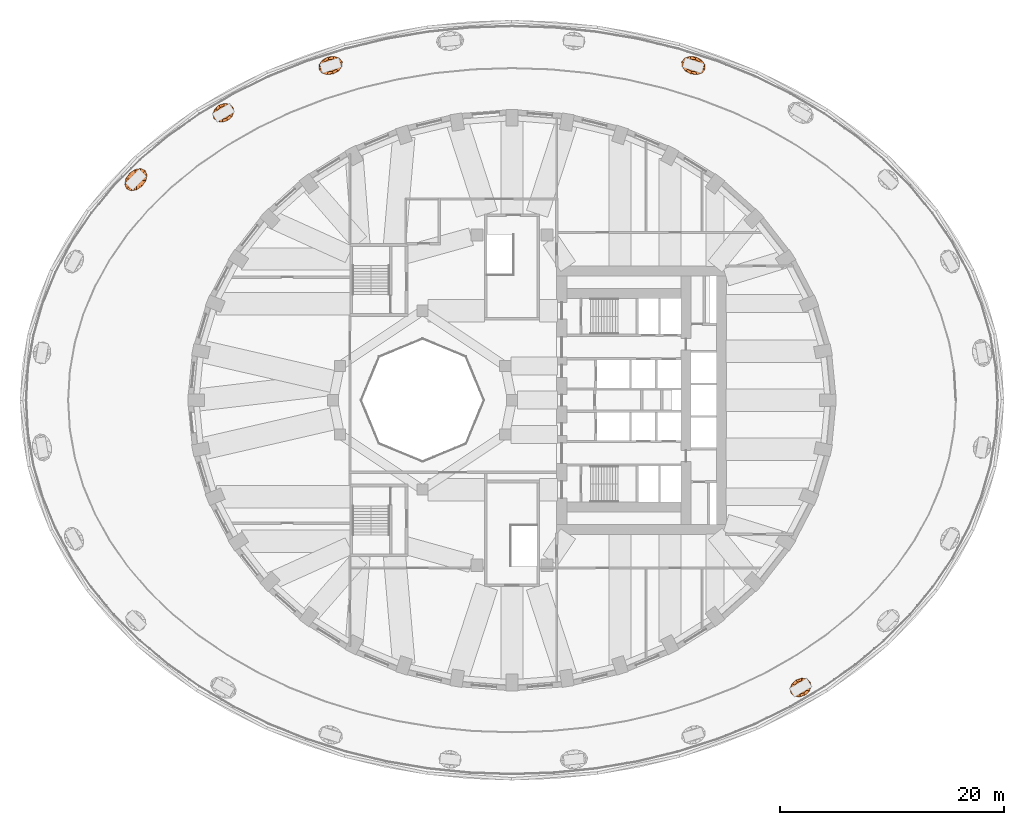
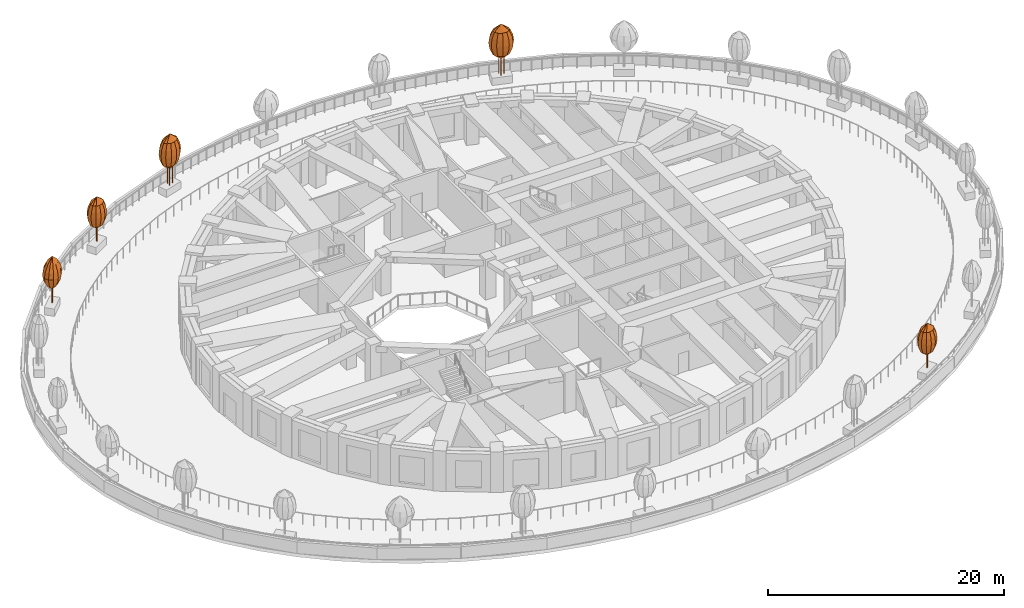
# One storey, part 15 of 17: 5 geographic elements.
"""IFC4 building model written with IfcOpenShell, lengths in metres."""

import ifcopenshell
import ifcopenshell.guid

model = None  # the IFC model being written
_history = None  # IfcOwnerHistory: only IFC2X3 demands one
_inside = {}  # id of a spatial element -> (the spatial element, [elements in it])
_under = {}  # id of a project, library or spatial element -> (it, [spatial elements below it])
_declared = {}  # id of a project -> (the project, [libraries it declares])
_typed = {}  # id of a type object -> (the type object, [elements of that type])
_made_of = {}  # id of a material, layer set ... -> (it, [elements and type objects made of it])


def new_model(schema):
    """Start an empty IFC model of exactly this schema.

    Asked for "IFC4X3", IfcOpenShell would pick the latest addendum, in which some entities
    have other attributes; the version numbers below select the first issue.
    IFC2X3 requires an IfcOwnerHistory on every rooted entity: one is made here for all.
    """
    global model, _history
    if schema == "IFC4X3":
        model = ifcopenshell.file(schema_version=(4, 3, 0, 0))
    else:
        model = ifcopenshell.file(schema=schema)
    _inside.clear()
    _under.clear()
    _declared.clear()
    _typed.clear()
    _made_of.clear()
    _history = None
    if model.schema == "IFC2X3":
        org = make("IfcOrganization", Name="unknown")
        user = make(
            "IfcPersonAndOrganization",
            ThePerson=make("IfcPerson", FamilyName="unknown"),
            TheOrganization=org,
        )
        app = make(
            "IfcApplication",
            ApplicationDeveloper=org,
            Version="unknown",
            ApplicationFullName="unknown",
            ApplicationIdentifier="unknown",
        )
        _history = make(
            "IfcOwnerHistory",
            OwningUser=user,
            OwningApplication=app,
            ChangeAction="ADDED",
            CreationDate=0,
        )
    return model


def make(cls, **values):
    """One entity of the class cls with the attributes given. An attribute that is None is left unset."""
    return model.create_entity(
        cls, **{name: value for name, value in values.items() if value is not None}
    )


def rooted(cls, **values):
    """An entity with a GlobalId (a new one), such as an element, a storey or a relation."""
    return make(cls, GlobalId=ifcopenshell.guid.new(), OwnerHistory=_history, **values)


def si_unit(unit_type, name, prefix=None):
    """IfcSIUnit, for example si_unit("LENGTHUNIT", "METRE", prefix="MILLI")."""
    return make("IfcSIUnit", UnitType=unit_type, Prefix=prefix, Name=name)


def assignment(units):
    """IfcUnitAssignment: the units of a project."""
    return None if units is None else make("IfcUnitAssignment", Units=units)


def point(xyz):
    """IfcCartesianPoint."""
    return None if xyz is None else make("IfcCartesianPoint", Coordinates=xyz)


def direction(xyz):
    """IfcDirection."""
    return None if xyz is None else make("IfcDirection", DirectionRatios=xyz)


def frame(location, z_axis=None, x_axis=None):
    """IfcAxis2Placement3D, a coordinate frame: its origin and axes. An axis left out is left unset."""
    return make(
        "IfcAxis2Placement3D",
        Location=point(location),
        Axis=direction(z_axis),
        RefDirection=direction(x_axis),
    )


def origin():
    """The frame at (0, 0, 0) with its axes left unset."""
    return frame((0.0, 0.0, 0.0))


def place(relative_to, where):
    """IfcLocalPlacement: puts the frame where relative to a parent placement (None: the world)."""
    return make(
        "IfcLocalPlacement", PlacementRelTo=relative_to, RelativePlacement=where
    )


def context(
    kind, dimensions, precision=None, world=None, true_north=None, identifier=None
):
    """IfcGeometricRepresentationContext, for example the 3D "Model" context."""
    return make(
        "IfcGeometricRepresentationContext",
        ContextIdentifier=identifier,
        ContextType=kind,
        CoordinateSpaceDimension=dimensions,
        Precision=precision,
        WorldCoordinateSystem=world,
        TrueNorth=true_north,
    )


def subcontext(parent, identifier, kind, view, scale=None):
    """IfcGeometricRepresentationSubContext, for example "Body" below "Model"."""
    return make(
        "IfcGeometricRepresentationSubContext",
        ContextIdentifier=identifier,
        ContextType=kind,
        ParentContext=parent,
        TargetScale=scale,
        TargetView=view,
    )


def project(units=None, contexts=None):
    """IfcProject with its units and contexts."""
    return rooted(
        "IfcProject",
        Name="project",
        RepresentationContexts=contexts,
        UnitsInContext=assignment(units),
    )


def spatial(cls, under=None, at=None, **own):
    """A site, building, storey or space (cls), placed at a placement, below another one or the project."""
    s = rooted(cls, ObjectPlacement=at, **own)
    if under is not None:
        _under.setdefault(under.id(), (under, []))[1].append(s)
    return s


def faces_of(points, faces, orient=None, outer=None):
    """IfcFace entities. A face is a list of loops; a loop is a list of indices into points, from 0.

    orient and outer hold one flag for each loop. By default every Orientation is true, the
    first loop of a face is its IfcFaceOuterBound and the others are IfcFaceBound.
    """
    made = []
    for i, loops in enumerate(faces):
        bounds = []
        for j, loop in enumerate(loops):
            is_outer = j == 0 if outer is None else outer[i][j]
            bounds.append(
                make(
                    "IfcFaceOuterBound" if is_outer else "IfcFaceBound",
                    Bound=make("IfcPolyLoop", Polygon=[points[k] for k in loop]),
                    Orientation=True if orient is None else orient[i][j],
                )
            )
        made.append(make("IfcFace", Bounds=bounds))
    return made


def faceted_brep(points, faces, orient=None, outer=None, voids=None):
    """IfcFacetedBrep: a solid bounded by flat faces; with voids (closed shells), ...WithVoids."""
    shared = [point(p) for p in points]
    hull = make("IfcClosedShell", CfsFaces=faces_of(shared, faces, orient, outer))
    if voids is None:
        return make("IfcFacetedBrep", Outer=hull)
    return make(
        "IfcFacetedBrepWithVoids",
        Outer=hull,
        Voids=[
            make(cls, CfsFaces=faces_of(shared, fs, o, b)) for cls, fs, o, b in voids
        ],
    )


def shape(context_of_items, identifier, shape_type, items):
    """IfcShapeRepresentation: the items that make up one representation, for example the "Body"."""
    return make(
        "IfcShapeRepresentation",
        ContextOfItems=context_of_items,
        RepresentationIdentifier=identifier,
        RepresentationType=shape_type,
        Items=items,
    )


def material(Name=None, Category=None):
    """IfcMaterial."""
    return make("IfcMaterial", Name=Name, Category=Category)


def constituent(of_material, Name=None, Category=None, fraction=None):
    """IfcMaterialConstituent: one of the materials an element consists of."""
    return make(
        "IfcMaterialConstituent",
        Name=Name,
        Material=of_material,
        Fraction=fraction,
        Category=Category,
    )


def constituent_set(constituents=None, Name=None):
    """IfcMaterialConstituentSet."""
    return make(
        "IfcMaterialConstituentSet", Name=Name, MaterialConstituents=constituents
    )


def made_of(thing, what):
    """Note that an element or type object is made of a material, layer set ...; save() writes the relation."""
    if what is not None:
        _made_of.setdefault(what.id(), (what, []))[1].append(thing)
    return thing


def type_object(cls, material=None, **own):
    """A type object (cls), such as IfcWallType, which elements share."""
    return made_of(rooted(cls, **own), material)


def element(
    cls,
    number,
    at=None,
    inside=None,
    cuts=None,
    type_object=None,
    material=None,
    context=None,
    identifier="Body",
    shape_type=None,
    held_by="IfcProductDefinitionShape",
    body=None,
    shapes=None,
    **own,
):
    """One element of the class cls, such as IfcWall. Its Tag is "e" and its number.

    at: its placement. inside: the storey or other place that contains it. cuts: it is an
    opening in that element (IfcRelVoidsElement). A single representation is given by context,
    identifier, shape_type and body (its items); several are given by shapes. held_by: the class
    of the entity that holds the representations. save() writes the other relations.
    """
    e = rooted(cls, Tag="e%d" % number, ObjectPlacement=at, **own)
    if body is not None:
        shapes = [shape(context, identifier, shape_type, body)]
    if shapes is not None:
        e.Representation = make(held_by, Representations=shapes)
    if inside is not None:
        _inside.setdefault(inside.id(), (inside, []))[1].append(e)
    if cuts is not None:
        rooted(
            "IfcRelVoidsElement", RelatingBuildingElement=cuts, RelatedOpeningElement=e
        )
    if type_object is not None:
        _typed.setdefault(type_object.id(), (type_object, []))[1].append(e)
    return made_of(e, material)


def aggregate(whole, parts):
    """IfcRelAggregates: a whole, such as a stair, and the parts it consists of."""
    return rooted("IfcRelAggregates", RelatingObject=whole, RelatedObjects=parts)


def save(model, path):
    """Write the relations noted so far, then the file.

    IfcRelAggregates (storeys below a building ...), IfcRelContainedInSpatialStructure (elements
    in a storey), IfcRelDefinesByType, IfcRelAssociatesMaterial and IfcRelDeclares: one each for
    every whole, place, type object, material and project.
    """
    for whole, parts in _under.values():
        aggregate(whole, parts)
    for where, things in _inside.values():
        rooted(
            "IfcRelContainedInSpatialStructure",
            RelatedElements=things,
            RelatingStructure=where,
        )
    for kind, things in _typed.values():
        rooted("IfcRelDefinesByType", RelatedObjects=things, RelatingType=kind)
    for what, things in _made_of.values():
        rooted("IfcRelAssociatesMaterial", RelatedObjects=things, RelatingMaterial=what)
    for by, libraries in _declared.values():
        rooted("IfcRelDeclares", RelatingContext=by, RelatedDefinitions=libraries)
    model.write(path)


model = new_model("IFC4")

# Units and contexts
model_context = context("Model", 3, precision=1e-05, world=origin(), true_north=direction((0.0, 1.0)))
body_context = subcontext(model_context, "Body", "Model", "MODEL_VIEW")
ifc_project = project(units=[si_unit("LENGTHUNIT", "METRE"), si_unit("AREAUNIT", "SQUARE_METRE"), si_unit("VOLUMEUNIT", "CUBIC_METRE"), si_unit("PLANEANGLEUNIT", "RADIAN"), si_unit("MASSUNIT", "GRAM", prefix="KILO")], contexts=[model_context])

# Site, building, storey
site_placement = place(None, origin())
site = spatial("IfcSite", under=ifc_project, at=site_placement, CompositionType="ELEMENT")
building_placement = place(site_placement, origin())
building = spatial("IfcBuilding", under=site, at=building_placement, Name="Taillehof Tower", CompositionType="ELEMENT")
storey_placement = place(building_placement, frame((0.0, 0.0, 17.5)))
storey = spatial("IfcBuildingStorey", under=building, at=storey_placement, Name="L03", CompositionType="ELEMENT", Elevation=17.5)

# Geographic elements
ifc_material_1 = material(Name="Tree bark", Category="timber")
ifc_constituent_1 = constituent(ifc_material_1, Name="Trunk", Category="timber")
ifc_material_2 = material(Name="Tree foliage")
ifc_constituent_2 = constituent(ifc_material_2, Name="Crown")
ifc_constituent_set_1 = constituent_set(constituents=[ifc_constituent_1, ifc_constituent_2], Name="Tree TR6 Field maple")
geographic_element_type_1 = type_object("IfcGeographicElementType", Name="Tree TR6 Field maple", PredefinedType="USERDEFINED", material=ifc_constituent_set_1)
geographic_element_1_placement = place(storey_placement, frame((-33.63818359375, 19.723876953125, 0.75)))
element("IfcGeographicElement", 1, at=geographic_element_1_placement, inside=storey, type_object=geographic_element_type_1, Name="Tree TR6 Field maple", ObjectType="TREE", PredefinedType="USERDEFINED", context=body_context, shape_type="Brep", body=[
    faceted_brep([(0.070068359375, 0.0, 0.0), (0.049560546875, 0.049560546875, 0.0), (0.049560546875, 0.049560546875, 2.590087890625), (0.070068359375, 0.0, 2.590087890625), (0.0, 0.070068359375, 0.0), (0.0, 0.070068359375, 2.590087890625), (-0.049560546875, 0.049560546875, 0.0), (-0.049560546875, 0.049560546875, 2.590087890625), (-0.070068359375, 0.0, 0.0), (-0.070068359375, 0.0, 2.590087890625), (-0.049560546875, -0.049560546875, 0.0), (-0.049560546875, -0.049560546875, 2.590087890625), (0.0, -0.070068359375, 0.0), (0.0, -0.070068359375, 2.590087890625), (0.049560546875, -0.049560546875, 0.0), (0.049560546875, -0.049560546875, 2.590087890625)], [[[0, 1, 2, 3]], [[1, 4, 5, 2]], [[4, 6, 7, 5]], [[6, 8, 9, 7]], [[8, 10, 11, 9]], [[10, 12, 13, 11]], [[12, 14, 15, 13]], [[14, 0, 3, 15]], [[14, 12, 10, 8, 6, 4, 1, 0]], [[3, 2, 5, 7, 9, 11, 13, 15]]]),
    faceted_brep([(0.0, 0.0, 1.39990234375), (-0.248291015625, -0.575439453125, 1.966552734375), (-0.47607421875, -0.47412109375, 1.966552734375), (0.046142578125, -0.5224609375, 1.966552734375), (0.328369140625, -0.32958984375, 1.966552734375), (0.5224609375, -0.04833984375, 1.966552734375), (0.576416015625, 0.245849609375, 1.966552734375), (0.47607421875, 0.47412109375, 1.966552734375), (0.248291015625, 0.575439453125, 1.966552734375), (-0.046142578125, 0.5224609375, 1.966552734375), (-0.328369140625, 0.32958984375, 1.966552734375), (-0.5224609375, 0.04833984375, 1.966552734375), (-0.576416015625, -0.245849609375, 1.966552734375), (-0.38525390625, -0.89306640625, 2.533447265625), (-0.739013671875, -0.73583984375, 2.533447265625), (0.07177734375, -0.81103515625, 2.533447265625), (0.509521484375, -0.511474609375, 2.533447265625), (0.810546875, -0.0751953125, 2.533447265625), (0.89453125, 0.381591796875, 2.533447265625), (0.739013671875, 0.73583984375, 2.533447265625), (0.38525390625, 0.89306640625, 2.533447265625), (-0.07177734375, 0.81103515625, 2.533447265625), (-0.509521484375, 0.511474609375, 2.533447265625), (-0.810546875, 0.0751953125, 2.533447265625), (-0.89453125, -0.381591796875, 2.533447265625), (-0.43212890625, -1.001953125, 3.10009765625), (-0.8291015625, -0.82568359375, 3.10009765625), (0.08056640625, -0.909912109375, 3.10009765625), (0.571533203125, -0.573974609375, 3.10009765625), (0.909423828125, -0.084228515625, 3.10009765625), (1.003662109375, 0.427978515625, 3.10009765625), (0.8291015625, 0.82568359375, 3.10009765625), (0.43212890625, 1.001953125, 3.10009765625), (-0.08056640625, 0.909912109375, 3.10009765625), (-0.571533203125, 0.573974609375, 3.10009765625), (-0.909423828125, 0.084228515625, 3.10009765625), (-1.003662109375, -0.427978515625, 3.10009765625), (-0.38525390625, -0.89306640625, 3.666748046875), (-0.739013671875, -0.73583984375, 3.666748046875), (0.07177734375, -0.81103515625, 3.666748046875), (0.509521484375, -0.511474609375, 3.666748046875), (0.810546875, -0.0751953125, 3.666748046875), (0.89453125, 0.381591796875, 3.666748046875), (0.739013671875, 0.73583984375, 3.666748046875), (0.38525390625, 0.89306640625, 3.666748046875), (-0.07177734375, 0.81103515625, 3.666748046875), (-0.509521484375, 0.511474609375, 3.666748046875), (-0.810546875, 0.0751953125, 3.666748046875), (-0.89453125, -0.381591796875, 3.666748046875), (-0.248291015625, -0.575439453125, 4.2333984375), (-0.47607421875, -0.47412109375, 4.2333984375), (0.046142578125, -0.5224609375, 4.2333984375), (0.328369140625, -0.32958984375, 4.2333984375), (0.5224609375, -0.04833984375, 4.2333984375), (0.576416015625, 0.245849609375, 4.2333984375), (0.47607421875, 0.47412109375, 4.2333984375), (0.248291015625, 0.575439453125, 4.2333984375), (-0.046142578125, 0.5224609375, 4.2333984375), (-0.328369140625, 0.32958984375, 4.2333984375), (-0.5224609375, 0.04833984375, 4.2333984375), (-0.576416015625, -0.245849609375, 4.2333984375), (0.0, 0.0, 4.800048828125)], [[[0, 1, 2]], [[0, 3, 1]], [[0, 4, 3]], [[0, 5, 4]], [[0, 6, 5]], [[0, 7, 6]], [[0, 8, 7]], [[0, 9, 8]], [[0, 10, 9]], [[0, 11, 10]], [[0, 12, 11]], [[0, 2, 12]], [[2, 1, 13, 14]], [[1, 3, 15, 13]], [[3, 4, 16, 15]], [[4, 5, 17, 16]], [[5, 6, 18, 17]], [[6, 7, 19, 18]], [[7, 8, 20, 19]], [[8, 9, 21, 20]], [[9, 10, 22, 21]], [[10, 11, 23, 22]], [[11, 12, 24, 23]], [[12, 2, 14, 24]], [[14, 13, 25, 26]], [[13, 15, 27, 25]], [[15, 16, 28, 27]], [[16, 17, 29, 28]], [[17, 18, 30, 29]], [[18, 19, 31, 30]], [[19, 20, 32, 31]], [[20, 21, 33, 32]], [[21, 22, 34, 33]], [[22, 23, 35, 34]], [[23, 24, 36, 35]], [[24, 14, 26, 36]], [[26, 25, 37, 38]], [[25, 27, 39, 37]], [[27, 28, 40, 39]], [[28, 29, 41, 40]], [[29, 30, 42, 41]], [[30, 31, 43, 42]], [[31, 32, 44, 43]], [[32, 33, 45, 44]], [[33, 34, 46, 45]], [[34, 35, 47, 46]], [[35, 36, 48, 47]], [[36, 26, 38, 48]], [[38, 37, 49, 50]], [[37, 39, 51, 49]], [[39, 40, 52, 51]], [[40, 41, 53, 52]], [[41, 42, 54, 53]], [[42, 43, 55, 54]], [[43, 44, 56, 55]], [[44, 45, 57, 56]], [[45, 46, 58, 57]], [[46, 47, 59, 58]], [[47, 48, 60, 59]], [[48, 38, 50, 60]], [[50, 49, 61]], [[49, 51, 61]], [[51, 52, 61]], [[52, 53, 61]], [[53, 54, 61]], [[54, 55, 61]], [[55, 56, 61]], [[56, 57, 61]], [[57, 58, 61]], [[58, 59, 61]], [[59, 60, 61]], [[60, 50, 61]]]),
])
ifc_material_3 = material(Name="Tree bark", Category="timber")
ifc_constituent_3 = constituent(ifc_material_3, Name="Trunk", Category="timber")
ifc_material_4 = material(Name="Tree foliage")
ifc_constituent_4 = constituent(ifc_material_4, Name="Crown")
ifc_constituent_set_2 = constituent_set(constituents=[ifc_constituent_3, ifc_constituent_4], Name="Tree TR7 Himalayan birch")
geographic_element_type_2 = type_object("IfcGeographicElementType", Name="Tree TR7 Himalayan birch", PredefinedType="USERDEFINED", material=ifc_constituent_set_2)
geographic_element_2_placement = place(storey_placement, frame((16.225830078125, 29.93359375, 0.75)))
element("IfcGeographicElement", 2, at=geographic_element_2_placement, inside=storey, type_object=geographic_element_type_2, Name="Tree TR7 Himalayan birch", ObjectType="TREE", PredefinedType="USERDEFINED", context=body_context, shape_type="Brep", body=[
    faceted_brep([(0.3134765625, 0.0, 0.0), (0.30224609375, 0.027099609375, 0.0), (0.30224609375, 0.027099609375, 2.833984375), (0.3134765625, 0.0, 2.833984375), (0.27490234375, 0.03857421875, 0.0), (0.27490234375, 0.03857421875, 2.833984375), (0.247802734375, 0.027099609375, 0.0), (0.247802734375, 0.027099609375, 2.833984375), (0.236572265625, 0.0, 0.0), (0.236572265625, 0.0, 2.833984375), (0.247802734375, -0.027099609375, 0.0), (0.247802734375, -0.027099609375, 2.833984375), (0.27490234375, -0.03857421875, 0.0), (0.27490234375, -0.03857421875, 2.833984375), (0.30224609375, -0.027099609375, 0.0), (0.30224609375, -0.027099609375, 2.833984375)], [[[0, 1, 2, 3]], [[1, 4, 5, 2]], [[4, 6, 7, 5]], [[6, 8, 9, 7]], [[8, 10, 11, 9]], [[10, 12, 13, 11]], [[12, 14, 15, 13]], [[14, 0, 3, 15]], [[14, 12, 10, 8, 6, 4, 1, 0]], [[3, 2, 5, 7, 9, 11, 13, 15]]]),
    faceted_brep([(-0.09912109375, 0.173095703125, 0.0), (-0.1103515625, 0.200439453125, 0.0), (-0.1103515625, 0.200439453125, 2.833984375), (-0.09912109375, 0.173095703125, 2.833984375), (-0.137451171875, 0.211669921875, 0.0), (-0.137451171875, 0.211669921875, 2.833984375), (-0.164794921875, 0.200439453125, 0.0), (-0.164794921875, 0.200439453125, 2.833984375), (-0.176025390625, 0.173095703125, 0.0), (-0.176025390625, 0.173095703125, 2.833984375), (-0.164794921875, 0.14599609375, 0.0), (-0.164794921875, 0.14599609375, 2.833984375), (-0.137451171875, 0.134765625, 0.0), (-0.137451171875, 0.134765625, 2.833984375), (-0.1103515625, 0.14599609375, 0.0), (-0.1103515625, 0.14599609375, 2.833984375)], [[[0, 1, 2, 3]], [[1, 4, 5, 2]], [[4, 6, 7, 5]], [[6, 8, 9, 7]], [[8, 10, 11, 9]], [[10, 12, 13, 11]], [[12, 14, 15, 13]], [[14, 0, 3, 15]], [[14, 12, 10, 8, 6, 4, 1, 0]], [[3, 2, 5, 7, 9, 11, 13, 15]]]),
    faceted_brep([(-0.09912109375, -0.173095703125, 0.0), (-0.1103515625, -0.14599609375, 0.0), (-0.1103515625, -0.14599609375, 2.833984375), (-0.09912109375, -0.173095703125, 2.833984375), (-0.137451171875, -0.134765625, 0.0), (-0.137451171875, -0.134765625, 2.833984375), (-0.164794921875, -0.14599609375, 0.0), (-0.164794921875, -0.14599609375, 2.833984375), (-0.176025390625, -0.173095703125, 0.0), (-0.176025390625, -0.173095703125, 2.833984375), (-0.164794921875, -0.200439453125, 0.0), (-0.164794921875, -0.200439453125, 2.833984375), (-0.137451171875, -0.211669921875, 0.0), (-0.137451171875, -0.211669921875, 2.833984375), (-0.1103515625, -0.200439453125, 0.0), (-0.1103515625, -0.200439453125, 2.833984375)], [[[0, 1, 2, 3]], [[1, 4, 5, 2]], [[4, 6, 7, 5]], [[6, 8, 9, 7]], [[8, 10, 11, 9]], [[10, 12, 13, 11]], [[12, 14, 15, 13]], [[14, 0, 3, 15]], [[14, 12, 10, 8, 6, 4, 1, 0]], [[3, 2, 5, 7, 9, 11, 13, 15]]]),
    faceted_brep([(0.0, 0.0, 1.56005859375), (-0.702880859375, -0.064208984375, 2.166748046875), (-0.71630859375, 0.226806640625, 2.166748046875), (-0.5009765625, -0.337890625, 2.166748046875), (-0.164794921875, -0.52099609375, 2.166748046875), (0.21533203125, -0.564453125, 2.166748046875), (0.537841796875, -0.456787109375, 2.166748046875), (0.71630859375, -0.226806640625, 2.166748046875), (0.702880859375, 0.064208984375, 2.166748046875), (0.5009765625, 0.337890625, 2.166748046875), (0.164794921875, 0.52099609375, 2.166748046875), (-0.21533203125, 0.564453125, 2.166748046875), (-0.537841796875, 0.456787109375, 2.166748046875), (-0.95068359375, -0.086669921875, 2.7734375), (-0.968994140625, 0.306640625, 2.7734375), (-0.677734375, -0.45703125, 2.7734375), (-0.22314453125, -0.70458984375, 2.7734375), (0.291259765625, -0.763671875, 2.7734375), (0.7275390625, -0.617919921875, 2.7734375), (0.968994140625, -0.306640625, 2.7734375), (0.95068359375, 0.086669921875, 2.7734375), (0.677734375, 0.45703125, 2.7734375), (0.22314453125, 0.70458984375, 2.7734375), (-0.291259765625, 0.763671875, 2.7734375), (-0.7275390625, 0.617919921875, 2.7734375), (-1.02880859375, -0.093994140625, 3.3798828125), (-1.048828125, 0.33203125, 3.3798828125), (-0.7333984375, -0.49462890625, 3.3798828125), (-0.241455078125, -0.7626953125, 3.3798828125), (0.315185546875, -0.826416015625, 3.3798828125), (0.78759765625, -0.6689453125, 3.3798828125), (1.048828125, -0.33203125, 3.3798828125), (1.02880859375, 0.093994140625, 3.3798828125), (0.7333984375, 0.49462890625, 3.3798828125), (0.241455078125, 0.7626953125, 3.3798828125), (-0.315185546875, 0.826416015625, 3.3798828125), (-0.78759765625, 0.6689453125, 3.3798828125), (-0.95068359375, -0.086669921875, 3.986572265625), (-0.968994140625, 0.306640625, 3.986572265625), (-0.677734375, -0.45703125, 3.986572265625), (-0.22314453125, -0.70458984375, 3.986572265625), (0.291259765625, -0.763671875, 3.986572265625), (0.7275390625, -0.617919921875, 3.986572265625), (0.968994140625, -0.306640625, 3.986572265625), (0.95068359375, 0.086669921875, 3.986572265625), (0.677734375, 0.45703125, 3.986572265625), (0.22314453125, 0.70458984375, 3.986572265625), (-0.291259765625, 0.763671875, 3.986572265625), (-0.7275390625, 0.617919921875, 3.986572265625), (-0.702880859375, -0.064208984375, 4.59326171875), (-0.71630859375, 0.226806640625, 4.59326171875), (-0.5009765625, -0.337890625, 4.59326171875), (-0.164794921875, -0.52099609375, 4.59326171875), (0.21533203125, -0.564453125, 4.59326171875), (0.537841796875, -0.456787109375, 4.59326171875), (0.71630859375, -0.226806640625, 4.59326171875), (0.702880859375, 0.064208984375, 4.59326171875), (0.5009765625, 0.337890625, 4.59326171875), (0.164794921875, 0.52099609375, 4.59326171875), (-0.21533203125, 0.564453125, 4.59326171875), (-0.537841796875, 0.456787109375, 4.59326171875), (0.0, 0.0, 5.199951171875)], [[[0, 1, 2]], [[0, 3, 1]], [[0, 4, 3]], [[0, 5, 4]], [[0, 6, 5]], [[0, 7, 6]], [[0, 8, 7]], [[0, 9, 8]], [[0, 10, 9]], [[0, 11, 10]], [[0, 12, 11]], [[0, 2, 12]], [[2, 1, 13, 14]], [[1, 3, 15, 13]], [[3, 4, 16, 15]], [[4, 5, 17, 16]], [[5, 6, 18, 17]], [[6, 7, 19, 18]], [[7, 8, 20, 19]], [[8, 9, 21, 20]], [[9, 10, 22, 21]], [[10, 11, 23, 22]], [[11, 12, 24, 23]], [[12, 2, 14, 24]], [[14, 13, 25, 26]], [[13, 15, 27, 25]], [[15, 16, 28, 27]], [[16, 17, 29, 28]], [[17, 18, 30, 29]], [[18, 19, 31, 30]], [[19, 20, 32, 31]], [[20, 21, 33, 32]], [[21, 22, 34, 33]], [[22, 23, 35, 34]], [[23, 24, 36, 35]], [[24, 14, 26, 36]], [[26, 25, 37, 38]], [[25, 27, 39, 37]], [[27, 28, 40, 39]], [[28, 29, 41, 40]], [[29, 30, 42, 41]], [[30, 31, 43, 42]], [[31, 32, 44, 43]], [[32, 33, 45, 44]], [[33, 34, 46, 45]], [[34, 35, 47, 46]], [[35, 36, 48, 47]], [[36, 26, 38, 48]], [[38, 37, 49, 50]], [[37, 39, 51, 49]], [[39, 40, 52, 51]], [[40, 41, 53, 52]], [[41, 42, 54, 53]], [[42, 43, 55, 54]], [[43, 44, 56, 55]], [[44, 45, 57, 56]], [[45, 46, 58, 57]], [[46, 47, 59, 58]], [[47, 48, 60, 59]], [[48, 38, 50, 60]], [[50, 49, 61]], [[49, 51, 61]], [[51, 52, 61]], [[52, 53, 61]], [[53, 54, 61]], [[54, 55, 61]], [[55, 56, 61]], [[56, 57, 61]], [[57, 58, 61]], [[58, 59, 61]], [[59, 60, 61]], [[60, 50, 61]]]),
])
geographic_element_3_placement = place(storey_placement, frame((-16.225830078125, 29.93359375, 0.75)))
element("IfcGeographicElement", 3, at=geographic_element_3_placement, inside=storey, type_object=geographic_element_type_2, Name="Tree TR7 Himalayan birch", ObjectType="TREE", PredefinedType="USERDEFINED", context=body_context, shape_type="Brep", body=[
    faceted_brep([(0.3134765625, 0.0, 0.0), (0.30224609375, 0.027099609375, 0.0), (0.30224609375, 0.027099609375, 2.833984375), (0.3134765625, 0.0, 2.833984375), (0.27490234375, 0.03857421875, 0.0), (0.27490234375, 0.03857421875, 2.833984375), (0.247802734375, 0.027099609375, 0.0), (0.247802734375, 0.027099609375, 2.833984375), (0.236572265625, 0.0, 0.0), (0.236572265625, 0.0, 2.833984375), (0.247802734375, -0.027099609375, 0.0), (0.247802734375, -0.027099609375, 2.833984375), (0.27490234375, -0.03857421875, 0.0), (0.27490234375, -0.03857421875, 2.833984375), (0.30224609375, -0.027099609375, 0.0), (0.30224609375, -0.027099609375, 2.833984375)], [[[0, 1, 2, 3]], [[1, 4, 5, 2]], [[4, 6, 7, 5]], [[6, 8, 9, 7]], [[8, 10, 11, 9]], [[10, 12, 13, 11]], [[12, 14, 15, 13]], [[14, 0, 3, 15]], [[14, 12, 10, 8, 6, 4, 1, 0]], [[3, 2, 5, 7, 9, 11, 13, 15]]]),
    faceted_brep([(-0.09912109375, 0.173095703125, 0.0), (-0.1103515625, 0.200439453125, 0.0), (-0.1103515625, 0.200439453125, 2.833984375), (-0.09912109375, 0.173095703125, 2.833984375), (-0.137451171875, 0.211669921875, 0.0), (-0.137451171875, 0.211669921875, 2.833984375), (-0.164794921875, 0.200439453125, 0.0), (-0.164794921875, 0.200439453125, 2.833984375), (-0.176025390625, 0.173095703125, 0.0), (-0.176025390625, 0.173095703125, 2.833984375), (-0.164794921875, 0.14599609375, 0.0), (-0.164794921875, 0.14599609375, 2.833984375), (-0.137451171875, 0.134765625, 0.0), (-0.137451171875, 0.134765625, 2.833984375), (-0.1103515625, 0.14599609375, 0.0), (-0.1103515625, 0.14599609375, 2.833984375)], [[[0, 1, 2, 3]], [[1, 4, 5, 2]], [[4, 6, 7, 5]], [[6, 8, 9, 7]], [[8, 10, 11, 9]], [[10, 12, 13, 11]], [[12, 14, 15, 13]], [[14, 0, 3, 15]], [[14, 12, 10, 8, 6, 4, 1, 0]], [[3, 2, 5, 7, 9, 11, 13, 15]]]),
    faceted_brep([(-0.09912109375, -0.173095703125, 0.0), (-0.1103515625, -0.14599609375, 0.0), (-0.1103515625, -0.14599609375, 2.833984375), (-0.09912109375, -0.173095703125, 2.833984375), (-0.137451171875, -0.134765625, 0.0), (-0.137451171875, -0.134765625, 2.833984375), (-0.164794921875, -0.14599609375, 0.0), (-0.164794921875, -0.14599609375, 2.833984375), (-0.176025390625, -0.173095703125, 0.0), (-0.176025390625, -0.173095703125, 2.833984375), (-0.164794921875, -0.200439453125, 0.0), (-0.164794921875, -0.200439453125, 2.833984375), (-0.137451171875, -0.211669921875, 0.0), (-0.137451171875, -0.211669921875, 2.833984375), (-0.1103515625, -0.200439453125, 0.0), (-0.1103515625, -0.200439453125, 2.833984375)], [[[0, 1, 2, 3]], [[1, 4, 5, 2]], [[4, 6, 7, 5]], [[6, 8, 9, 7]], [[8, 10, 11, 9]], [[10, 12, 13, 11]], [[12, 14, 15, 13]], [[14, 0, 3, 15]], [[14, 12, 10, 8, 6, 4, 1, 0]], [[3, 2, 5, 7, 9, 11, 13, 15]]]),
    faceted_brep([(0.0, 0.0, 1.56005859375), (-0.537841796875, -0.456787109375, 2.166748046875), (-0.71630859375, -0.226806640625, 2.166748046875), (-0.21533203125, -0.564453125, 2.166748046875), (0.164794921875, -0.52099609375, 2.166748046875), (0.5009765625, -0.337890625, 2.166748046875), (0.702880859375, -0.064208984375, 2.166748046875), (0.71630859375, 0.226806640625, 2.166748046875), (0.537841796875, 0.456787109375, 2.166748046875), (0.21533203125, 0.564453125, 2.166748046875), (-0.164794921875, 0.52099609375, 2.166748046875), (-0.5009765625, 0.337890625, 2.166748046875), (-0.702880859375, 0.064208984375, 2.166748046875), (-0.7275390625, -0.617919921875, 2.7734375), (-0.968994140625, -0.306640625, 2.7734375), (-0.291259765625, -0.763671875, 2.7734375), (0.22314453125, -0.70458984375, 2.7734375), (0.677734375, -0.45703125, 2.7734375), (0.95068359375, -0.086669921875, 2.7734375), (0.968994140625, 0.306640625, 2.7734375), (0.7275390625, 0.617919921875, 2.7734375), (0.291259765625, 0.763671875, 2.7734375), (-0.22314453125, 0.70458984375, 2.7734375), (-0.677734375, 0.45703125, 2.7734375), (-0.95068359375, 0.086669921875, 2.7734375), (-0.78759765625, -0.6689453125, 3.3798828125), (-1.048828125, -0.33203125, 3.3798828125), (-0.315185546875, -0.826416015625, 3.3798828125), (0.241455078125, -0.7626953125, 3.3798828125), (0.7333984375, -0.49462890625, 3.3798828125), (1.02880859375, -0.093994140625, 3.3798828125), (1.048828125, 0.33203125, 3.3798828125), (0.78759765625, 0.6689453125, 3.3798828125), (0.315185546875, 0.826416015625, 3.3798828125), (-0.241455078125, 0.7626953125, 3.3798828125), (-0.7333984375, 0.49462890625, 3.3798828125), (-1.02880859375, 0.093994140625, 3.3798828125), (-0.7275390625, -0.617919921875, 3.986572265625), (-0.968994140625, -0.306640625, 3.986572265625), (-0.291259765625, -0.763671875, 3.986572265625), (0.22314453125, -0.70458984375, 3.986572265625), (0.677734375, -0.45703125, 3.986572265625), (0.95068359375, -0.086669921875, 3.986572265625), (0.968994140625, 0.306640625, 3.986572265625), (0.7275390625, 0.617919921875, 3.986572265625), (0.291259765625, 0.763671875, 3.986572265625), (-0.22314453125, 0.70458984375, 3.986572265625), (-0.677734375, 0.45703125, 3.986572265625), (-0.95068359375, 0.086669921875, 3.986572265625), (-0.537841796875, -0.456787109375, 4.59326171875), (-0.71630859375, -0.226806640625, 4.59326171875), (-0.21533203125, -0.564453125, 4.59326171875), (0.164794921875, -0.52099609375, 4.59326171875), (0.5009765625, -0.337890625, 4.59326171875), (0.702880859375, -0.064208984375, 4.59326171875), (0.71630859375, 0.226806640625, 4.59326171875), (0.537841796875, 0.456787109375, 4.59326171875), (0.21533203125, 0.564453125, 4.59326171875), (-0.164794921875, 0.52099609375, 4.59326171875), (-0.5009765625, 0.337890625, 4.59326171875), (-0.702880859375, 0.064208984375, 4.59326171875), (0.0, 0.0, 5.199951171875)], [[[0, 1, 2]], [[0, 3, 1]], [[0, 4, 3]], [[0, 5, 4]], [[0, 6, 5]], [[0, 7, 6]], [[0, 8, 7]], [[0, 9, 8]], [[0, 10, 9]], [[0, 11, 10]], [[0, 12, 11]], [[0, 2, 12]], [[2, 1, 13, 14]], [[1, 3, 15, 13]], [[3, 4, 16, 15]], [[4, 5, 17, 16]], [[5, 6, 18, 17]], [[6, 7, 19, 18]], [[7, 8, 20, 19]], [[8, 9, 21, 20]], [[9, 10, 22, 21]], [[10, 11, 23, 22]], [[11, 12, 24, 23]], [[12, 2, 14, 24]], [[14, 13, 25, 26]], [[13, 15, 27, 25]], [[15, 16, 28, 27]], [[16, 17, 29, 28]], [[17, 18, 30, 29]], [[18, 19, 31, 30]], [[19, 20, 32, 31]], [[20, 21, 33, 32]], [[21, 22, 34, 33]], [[22, 23, 35, 34]], [[23, 24, 36, 35]], [[24, 14, 26, 36]], [[26, 25, 37, 38]], [[25, 27, 39, 37]], [[27, 28, 40, 39]], [[28, 29, 41, 40]], [[29, 30, 42, 41]], [[30, 31, 43, 42]], [[31, 32, 44, 43]], [[32, 33, 45, 44]], [[33, 34, 46, 45]], [[34, 35, 47, 46]], [[35, 36, 48, 47]], [[36, 26, 38, 48]], [[38, 37, 49, 50]], [[37, 39, 51, 49]], [[39, 40, 52, 51]], [[40, 41, 53, 52]], [[41, 42, 54, 53]], [[42, 43, 55, 54]], [[43, 44, 56, 55]], [[44, 45, 57, 56]], [[45, 46, 58, 57]], [[46, 47, 59, 58]], [[47, 48, 60, 59]], [[48, 38, 50, 60]], [[50, 49, 61]], [[49, 51, 61]], [[51, 52, 61]], [[52, 53, 61]], [[53, 54, 61]], [[54, 55, 61]], [[55, 56, 61]], [[56, 57, 61]], [[57, 58, 61]], [[58, 59, 61]], [[59, 60, 61]], [[60, 50, 61]]]),
])
ifc_material_5 = material(Name="Tree bark", Category="timber")
ifc_constituent_5 = constituent(ifc_material_5, Name="Trunk", Category="timber")
ifc_material_6 = material(Name="Tree foliage")
ifc_constituent_6 = constituent(ifc_material_6, Name="Crown")
ifc_constituent_set_3 = constituent_set(constituents=[ifc_constituent_5, ifc_constituent_6], Name="Tree TR8 Persian ironwood")
geographic_element_type_3 = type_object("IfcGeographicElementType", Name="Tree TR8 Persian ironwood", PredefinedType="USERDEFINED", material=ifc_constituent_set_3)
geographic_element_4_placement = place(storey_placement, frame((-25.8115234375, 25.70458984375, 0.75)))
element("IfcGeographicElement", 4, at=geographic_element_4_placement, inside=storey, type_object=geographic_element_type_3, Name="Tree TR8 Persian ironwood", ObjectType="TREE", PredefinedType="USERDEFINED", context=body_context, shape_type="Brep", body=[
    faceted_brep([(0.06005859375, 0.0, 0.0), (0.04248046875, 0.04248046875, 0.0), (0.04248046875, 0.04248046875, 2.455078125), (0.06005859375, 0.0, 2.455078125), (0.0, 0.06005859375, 0.0), (0.0, 0.06005859375, 2.455078125), (-0.04248046875, 0.04248046875, 0.0), (-0.04248046875, 0.04248046875, 2.455078125), (-0.06005859375, 0.0, 0.0), (-0.06005859375, 0.0, 2.455078125), (-0.04248046875, -0.04248046875, 0.0), (-0.04248046875, -0.04248046875, 2.455078125), (0.0, -0.06005859375, 0.0), (0.0, -0.06005859375, 2.455078125), (0.04248046875, -0.04248046875, 0.0), (0.04248046875, -0.04248046875, 2.455078125)], [[[0, 1, 2, 3]], [[1, 4, 5, 2]], [[4, 6, 7, 5]], [[6, 8, 9, 7]], [[8, 10, 11, 9]], [[10, 12, 13, 11]], [[12, 14, 15, 13]], [[14, 0, 3, 15]], [[14, 12, 10, 8, 6, 4, 1, 0]], [[3, 2, 5, 7, 9, 11, 13, 15]]]),
    faceted_brep([(0.0, 0.0, 1.300048828125), (-0.3720703125, -0.534912109375, 1.85009765625), (-0.589111328125, -0.345458984375, 1.85009765625), (-0.05517578125, -0.5810546875, 1.85009765625), (0.2763671875, -0.471435546875, 1.85009765625), (0.533935546875, -0.235595703125, 1.85009765625), (0.6484375, 0.0634765625, 1.85009765625), (0.589111328125, 0.345458984375, 1.85009765625), (0.3720703125, 0.534912109375, 1.85009765625), (0.05517578125, 0.5810546875, 1.85009765625), (-0.2763671875, 0.471435546875, 1.85009765625), (-0.533935546875, 0.235595703125, 1.85009765625), (-0.6484375, -0.0634765625, 1.85009765625), (-0.50341796875, -0.7236328125, 2.39990234375), (-0.797119140625, -0.46728515625, 2.39990234375), (-0.07470703125, -0.785888671875, 2.39990234375), (0.373779296875, -0.6376953125, 2.39990234375), (0.722412109375, -0.318603515625, 2.39990234375), (0.877197265625, 0.0859375, 2.39990234375), (0.797119140625, 0.46728515625, 2.39990234375), (0.50341796875, 0.7236328125, 2.39990234375), (0.07470703125, 0.785888671875, 2.39990234375), (-0.373779296875, 0.6376953125, 2.39990234375), (-0.722412109375, 0.318603515625, 2.39990234375), (-0.877197265625, -0.0859375, 2.39990234375), (-0.544677734375, -0.783203125, 2.949951171875), (-0.862548828125, -0.505859375, 2.949951171875), (-0.080810546875, -0.8505859375, 2.949951171875), (0.404541015625, -0.690185546875, 2.949951171875), (0.78173828125, -0.3447265625, 2.949951171875), (0.949462890625, 0.093017578125, 2.949951171875), (0.862548828125, 0.505859375, 2.949951171875), (0.544677734375, 0.783203125, 2.949951171875), (0.080810546875, 0.8505859375, 2.949951171875), (-0.404541015625, 0.690185546875, 2.949951171875), (-0.78173828125, 0.3447265625, 2.949951171875), (-0.949462890625, -0.093017578125, 2.949951171875), (-0.50341796875, -0.7236328125, 3.5), (-0.797119140625, -0.46728515625, 3.5), (-0.07470703125, -0.785888671875, 3.5), (0.373779296875, -0.6376953125, 3.5), (0.722412109375, -0.318603515625, 3.5), (0.877197265625, 0.0859375, 3.5), (0.797119140625, 0.46728515625, 3.5), (0.50341796875, 0.7236328125, 3.5), (0.07470703125, 0.785888671875, 3.5), (-0.373779296875, 0.6376953125, 3.5), (-0.722412109375, 0.318603515625, 3.5), (-0.877197265625, -0.0859375, 3.5), (-0.3720703125, -0.534912109375, 4.050048828125), (-0.589111328125, -0.345458984375, 4.050048828125), (-0.05517578125, -0.5810546875, 4.050048828125), (0.2763671875, -0.471435546875, 4.050048828125), (0.533935546875, -0.235595703125, 4.050048828125), (0.6484375, 0.0634765625, 4.050048828125), (0.589111328125, 0.345458984375, 4.050048828125), (0.3720703125, 0.534912109375, 4.050048828125), (0.05517578125, 0.5810546875, 4.050048828125), (-0.2763671875, 0.471435546875, 4.050048828125), (-0.533935546875, 0.235595703125, 4.050048828125), (-0.6484375, -0.0634765625, 4.050048828125), (0.0, 0.0, 4.60009765625)], [[[0, 1, 2]], [[0, 3, 1]], [[0, 4, 3]], [[0, 5, 4]], [[0, 6, 5]], [[0, 7, 6]], [[0, 8, 7]], [[0, 9, 8]], [[0, 10, 9]], [[0, 11, 10]], [[0, 12, 11]], [[0, 2, 12]], [[2, 1, 13, 14]], [[1, 3, 15, 13]], [[3, 4, 16, 15]], [[4, 5, 17, 16]], [[5, 6, 18, 17]], [[6, 7, 19, 18]], [[7, 8, 20, 19]], [[8, 9, 21, 20]], [[9, 10, 22, 21]], [[10, 11, 23, 22]], [[11, 12, 24, 23]], [[12, 2, 14, 24]], [[14, 13, 25, 26]], [[13, 15, 27, 25]], [[15, 16, 28, 27]], [[16, 17, 29, 28]], [[17, 18, 30, 29]], [[18, 19, 31, 30]], [[19, 20, 32, 31]], [[20, 21, 33, 32]], [[21, 22, 34, 33]], [[22, 23, 35, 34]], [[23, 24, 36, 35]], [[24, 14, 26, 36]], [[26, 25, 37, 38]], [[25, 27, 39, 37]], [[27, 28, 40, 39]], [[28, 29, 41, 40]], [[29, 30, 42, 41]], [[30, 31, 43, 42]], [[31, 32, 44, 43]], [[32, 33, 45, 44]], [[33, 34, 46, 45]], [[34, 35, 47, 46]], [[35, 36, 48, 47]], [[36, 26, 38, 48]], [[38, 37, 49, 50]], [[37, 39, 51, 49]], [[39, 40, 52, 51]], [[40, 41, 53, 52]], [[41, 42, 54, 53]], [[42, 43, 55, 54]], [[43, 44, 56, 55]], [[44, 45, 57, 56]], [[45, 46, 58, 57]], [[46, 47, 59, 58]], [[47, 48, 60, 59]], [[48, 38, 50, 60]], [[50, 49, 61]], [[49, 51, 61]], [[51, 52, 61]], [[52, 53, 61]], [[53, 54, 61]], [[54, 55, 61]], [[55, 56, 61]], [[56, 57, 61]], [[57, 58, 61]], [[58, 59, 61]], [[59, 60, 61]], [[60, 50, 61]]]),
])
geographic_element_5_placement = place(storey_placement, frame((25.8115234375, -25.70458984375, 0.75)))
element("IfcGeographicElement", 5, at=geographic_element_5_placement, inside=storey, type_object=geographic_element_type_3, Name="Tree TR8 Persian ironwood", ObjectType="TREE", PredefinedType="USERDEFINED", context=body_context, shape_type="Brep", body=[
    faceted_brep([(0.06005859375, 0.0, 0.0), (0.04248046875, 0.04248046875, 0.0), (0.04248046875, 0.04248046875, 2.455078125), (0.06005859375, 0.0, 2.455078125), (0.0, 0.06005859375, 0.0), (0.0, 0.06005859375, 2.455078125), (-0.04248046875, 0.04248046875, 0.0), (-0.04248046875, 0.04248046875, 2.455078125), (-0.06005859375, 0.0, 0.0), (-0.06005859375, 0.0, 2.455078125), (-0.04248046875, -0.04248046875, 0.0), (-0.04248046875, -0.04248046875, 2.455078125), (0.0, -0.06005859375, 0.0), (0.0, -0.06005859375, 2.455078125), (0.04248046875, -0.04248046875, 0.0), (0.04248046875, -0.04248046875, 2.455078125)], [[[0, 1, 2, 3]], [[1, 4, 5, 2]], [[4, 6, 7, 5]], [[6, 8, 9, 7]], [[8, 10, 11, 9]], [[10, 12, 13, 11]], [[12, 14, 15, 13]], [[14, 0, 3, 15]], [[14, 12, 10, 8, 6, 4, 1, 0]], [[3, 2, 5, 7, 9, 11, 13, 15]]]),
    faceted_brep([(0.0, 0.0, 1.300048828125), (0.3720703125, 0.534912109375, 1.85009765625), (0.589111328125, 0.345458984375, 1.85009765625), (0.05517578125, 0.5810546875, 1.85009765625), (-0.2763671875, 0.471435546875, 1.85009765625), (-0.533935546875, 0.235595703125, 1.85009765625), (-0.6484375, -0.0634765625, 1.85009765625), (-0.589111328125, -0.345458984375, 1.85009765625), (-0.3720703125, -0.534912109375, 1.85009765625), (-0.05517578125, -0.5810546875, 1.85009765625), (0.2763671875, -0.471435546875, 1.85009765625), (0.533935546875, -0.235595703125, 1.85009765625), (0.6484375, 0.0634765625, 1.85009765625), (0.50341796875, 0.7236328125, 2.39990234375), (0.797119140625, 0.46728515625, 2.39990234375), (0.07470703125, 0.785888671875, 2.39990234375), (-0.373779296875, 0.6376953125, 2.39990234375), (-0.722412109375, 0.318603515625, 2.39990234375), (-0.877197265625, -0.0859375, 2.39990234375), (-0.797119140625, -0.46728515625, 2.39990234375), (-0.50341796875, -0.7236328125, 2.39990234375), (-0.07470703125, -0.785888671875, 2.39990234375), (0.373779296875, -0.6376953125, 2.39990234375), (0.722412109375, -0.318603515625, 2.39990234375), (0.877197265625, 0.0859375, 2.39990234375), (0.544677734375, 0.783203125, 2.949951171875), (0.862548828125, 0.505859375, 2.949951171875), (0.080810546875, 0.8505859375, 2.949951171875), (-0.404541015625, 0.690185546875, 2.949951171875), (-0.78173828125, 0.3447265625, 2.949951171875), (-0.949462890625, -0.093017578125, 2.949951171875), (-0.862548828125, -0.505859375, 2.949951171875), (-0.544677734375, -0.783203125, 2.949951171875), (-0.080810546875, -0.8505859375, 2.949951171875), (0.404541015625, -0.690185546875, 2.949951171875), (0.78173828125, -0.3447265625, 2.949951171875), (0.949462890625, 0.093017578125, 2.949951171875), (0.50341796875, 0.7236328125, 3.5), (0.797119140625, 0.46728515625, 3.5), (0.07470703125, 0.785888671875, 3.5), (-0.373779296875, 0.6376953125, 3.5), (-0.722412109375, 0.318603515625, 3.5), (-0.877197265625, -0.0859375, 3.5), (-0.797119140625, -0.46728515625, 3.5), (-0.50341796875, -0.7236328125, 3.5), (-0.07470703125, -0.785888671875, 3.5), (0.373779296875, -0.6376953125, 3.5), (0.722412109375, -0.318603515625, 3.5), (0.877197265625, 0.0859375, 3.5), (0.3720703125, 0.534912109375, 4.050048828125), (0.589111328125, 0.345458984375, 4.050048828125), (0.05517578125, 0.5810546875, 4.050048828125), (-0.2763671875, 0.471435546875, 4.050048828125), (-0.533935546875, 0.235595703125, 4.050048828125), (-0.6484375, -0.0634765625, 4.050048828125), (-0.589111328125, -0.345458984375, 4.050048828125), (-0.3720703125, -0.534912109375, 4.050048828125), (-0.05517578125, -0.5810546875, 4.050048828125), (0.2763671875, -0.471435546875, 4.050048828125), (0.533935546875, -0.235595703125, 4.050048828125), (0.6484375, 0.0634765625, 4.050048828125), (0.0, 0.0, 4.60009765625)], [[[0, 1, 2]], [[0, 3, 1]], [[0, 4, 3]], [[0, 5, 4]], [[0, 6, 5]], [[0, 7, 6]], [[0, 8, 7]], [[0, 9, 8]], [[0, 10, 9]], [[0, 11, 10]], [[0, 12, 11]], [[0, 2, 12]], [[2, 1, 13, 14]], [[1, 3, 15, 13]], [[3, 4, 16, 15]], [[4, 5, 17, 16]], [[5, 6, 18, 17]], [[6, 7, 19, 18]], [[7, 8, 20, 19]], [[8, 9, 21, 20]], [[9, 10, 22, 21]], [[10, 11, 23, 22]], [[11, 12, 24, 23]], [[12, 2, 14, 24]], [[14, 13, 25, 26]], [[13, 15, 27, 25]], [[15, 16, 28, 27]], [[16, 17, 29, 28]], [[17, 18, 30, 29]], [[18, 19, 31, 30]], [[19, 20, 32, 31]], [[20, 21, 33, 32]], [[21, 22, 34, 33]], [[22, 23, 35, 34]], [[23, 24, 36, 35]], [[24, 14, 26, 36]], [[26, 25, 37, 38]], [[25, 27, 39, 37]], [[27, 28, 40, 39]], [[28, 29, 41, 40]], [[29, 30, 42, 41]], [[30, 31, 43, 42]], [[31, 32, 44, 43]], [[32, 33, 45, 44]], [[33, 34, 46, 45]], [[34, 35, 47, 46]], [[35, 36, 48, 47]], [[36, 26, 38, 48]], [[38, 37, 49, 50]], [[37, 39, 51, 49]], [[39, 40, 52, 51]], [[40, 41, 53, 52]], [[41, 42, 54, 53]], [[42, 43, 55, 54]], [[43, 44, 56, 55]], [[44, 45, 57, 56]], [[45, 46, 58, 57]], [[46, 47, 59, 58]], [[47, 48, 60, 59]], [[48, 38, 50, 60]], [[50, 49, 61]], [[49, 51, 61]], [[51, 52, 61]], [[52, 53, 61]], [[53, 54, 61]], [[54, 55, 61]], [[55, 56, 61]], [[56, 57, 61]], [[57, 58, 61]], [[58, 59, 61]], [[59, 60, 61]], [[60, 50, 61]]]),
])

save(model, "model.ifc")
